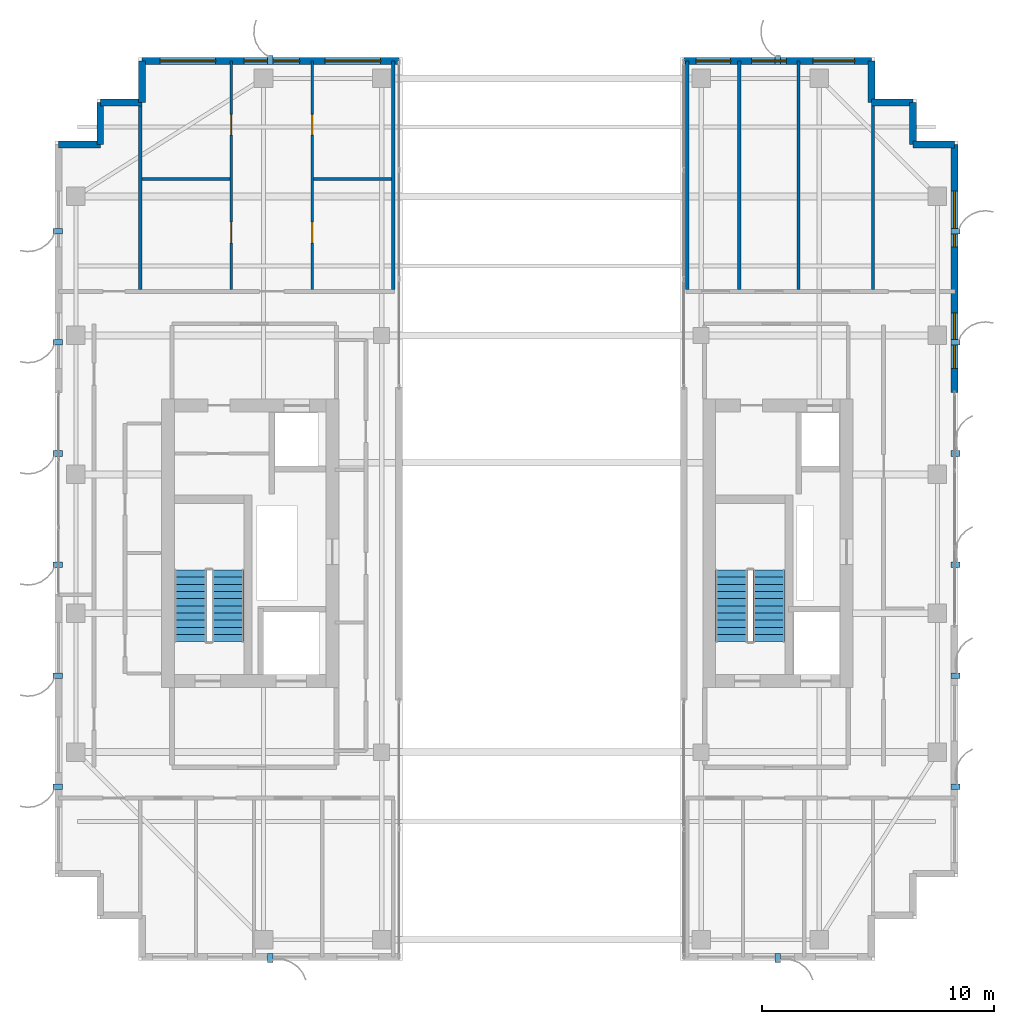
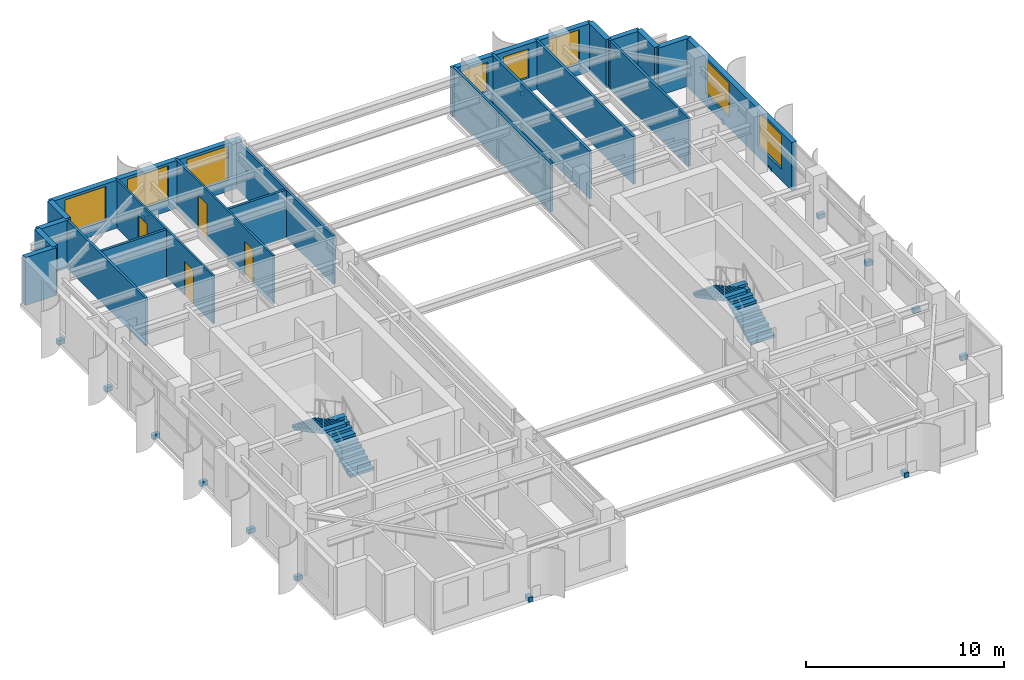
# One storey, part 22 of 25: 21 walls, 16 discrete accessories, 8 windows, 4 doors, 4 stair flights, 12 openings, 2 elements without a shape of their own.
"""IFC4 building model written with IfcOpenShell, lengths in metres."""

from ifc_helpers import new_model, si_unit, direction, frame, frame_2d, origin, origin_2d, place, context, subcontext, project, spatial, polyline, rectangle, outline, extrude, source, transform, mapped, material, layer, layer_set, type_object, element, fill, aggregate, save


model = new_model("IFC4")

# Units and contexts
model_context = context("Model", 3, precision=1e-05, world=origin(), true_north=direction((0.0, 1.0)))
body_context = subcontext(model_context, "Body", "Model", "MODEL_VIEW")
ifc_project = project(units=[si_unit("LENGTHUNIT", "METRE"), si_unit("AREAUNIT", "SQUARE_METRE"), si_unit("VOLUMEUNIT", "CUBIC_METRE"), si_unit("PLANEANGLEUNIT", "RADIAN"), si_unit("MASSUNIT", "GRAM", prefix="KILO")], contexts=[model_context])

# Site, building, storey
site_placement = place(None, origin())
site = spatial("IfcSite", under=ifc_project, at=site_placement, CompositionType="ELEMENT")
building_placement = place(site_placement, origin())
building = spatial("IfcBuilding", under=site, at=building_placement, Name="Khoralis Quay Care Tower", CompositionType="ELEMENT")
storey_placement = place(building_placement, frame((0.0, 0.0, 263.699951171875)))
storey = spatial("IfcBuildingStorey", under=building, at=storey_placement, Name="L69", CompositionType="ELEMENT", Elevation=263.699951171875)

# Wall, openings, windows
ifc_material_1 = material(Name="Precast concrete C45/55", Category="concrete")
ifc_layer_1 = layer(ifc_material_1, 0.300048828125)
ifc_layer_set_1 = layer_set([ifc_layer_1], Name="Precast concrete C45/55")
wall_type_1 = type_object("IfcWallType", Name="WL-EXT-REF-300", PredefinedType="SOLIDWALL", material=ifc_layer_set_1)
wall_1_placement = place(storey_placement, frame((17.85009765625, 41.85009765625, 0.0), z_axis=(0.0, 0.0, 1.0), x_axis=(-1.0, 0.0, 0.0)))
wall_1 = element("IfcWall", 1, at=wall_1_placement, inside=storey, type_object=wall_type_1, Name="L69 External Facade Wall WL-EXT-L69-P1-E2", PredefinedType="SOLIDWALL", context=body_context, shape_type="SweptSolid", body=[
    extrude(rectangle(XDim=11.10009765625, YDim=0.300048828125, at=frame_2d((5.550048828125, 0.0))), origin(), (0.0, 0.0, 1.0), 2.949951171875),
])
opening_1_placement = place(wall_1_placement, frame((0.797119140625, 0.0, 0.68994140625)))
opening_1 = element("IfcOpeningElement", 2, at=opening_1_placement, cuts=wall_1, Name="Opening W1", PredefinedType="OPENING", context=body_context, shape_type="SweptSolid", body=[
    extrude(rectangle(XDim=2.39990234375, YDim=2.10009765625, at=frame_2d((1.199951171875, 1.050048828125))), frame((0.0, 0.16015625, 0.0), z_axis=(0.0, -1.0, 0.0), x_axis=(1.0, 0.0, 0.0)), (0.0, 0.0, 1.0), 0.320068359375),
])
opening_2_placement = place(wall_1_placement, frame((4.29150390625, 0.0, 0.68994140625)))
opening_2 = element("IfcOpeningElement", 3, at=opening_2_placement, cuts=wall_1, Name="Opening W1", PredefinedType="OPENING", context=body_context, shape_type="SweptSolid", body=[
    extrude(rectangle(XDim=2.39990234375, YDim=2.10009765625, at=frame_2d((1.199951171875, 1.050048828125))), frame((0.0, 0.16015625, 0.0), z_axis=(0.0, -1.0, 0.0), x_axis=(1.0, 0.0, 0.0)), (0.0, 0.0, 1.0), 0.320068359375),
])
opening_3_placement = place(wall_1_placement, frame((7.91943359375, 0.0, 0.68994140625)))
opening_3 = element("IfcOpeningElement", 4, at=opening_3_placement, cuts=wall_1, Name="Opening W1", PredefinedType="OPENING", context=body_context, shape_type="SweptSolid", body=[
    extrude(rectangle(XDim=2.39990234375, YDim=2.10009765625, at=frame_2d((1.199951171875, 1.050048828125))), frame((0.0, 0.16015625, 0.0), z_axis=(0.0, -1.0, 0.0), x_axis=(1.0, 0.0, 0.0)), (0.0, 0.0, 1.0), 0.320068359375),
])
ifc_material_2 = material(Name="Low-E solar-control double glazing", Category="glass")
window_type_1 = type_object("IfcWindowType", Name="WN-POD-2400X2100", PartitioningType="SINGLE_PANEL", PredefinedType="WINDOW", material=ifc_material_2)
shared_shape_1 = source(origin(), body_context, "Body", "SweptSolid", [
    extrude(rectangle(XDim=2.39990234375, YDim=2.10009765625, at=frame_2d((1.199951171875, 1.050048828125))), frame((0.0, 0.030029296875, 0.0), z_axis=(0.0, -1.0, 0.0), x_axis=(1.0, 0.0, 0.0)), (0.0, 0.0, 1.0), 0.06005859375),
])
window_1_placement = place(opening_1_placement, origin())
window_1 = element("IfcWindow", 5, at=window_1_placement, inside=storey, type_object=window_type_1, Name="WN-L69-P1-E2 Facade Window 01", OverallHeight=2.10009765625, OverallWidth=2.39990234375, PartitioningType="SINGLE_PANEL", PredefinedType="WINDOW", context=body_context, shape_type="MappedRepresentation", body=[
    mapped(shared_shape_1, transform((0.0, 0.0, 0.0), scale=1.0)),
])
fill(opening_1, window_1)
window_2_placement = place(opening_2_placement, origin())
window_2 = element("IfcWindow", 6, at=window_2_placement, inside=storey, type_object=window_type_1, Name="WN-L69-P1-E2 Facade Window 02", OverallHeight=2.10009765625, OverallWidth=2.39990234375, PartitioningType="SINGLE_PANEL", PredefinedType="WINDOW", context=body_context, shape_type="MappedRepresentation", body=[
    mapped(shared_shape_1, transform((0.0, 0.0, 0.0), scale=1.0)),
])
fill(opening_2, window_2)
window_3_placement = place(opening_3_placement, origin())
window_3 = element("IfcWindow", 7, at=window_3_placement, inside=storey, type_object=window_type_1, Name="WN-L69-P1-E2 Facade Window 03", OverallHeight=2.10009765625, OverallWidth=2.39990234375, PartitioningType="SINGLE_PANEL", PredefinedType="WINDOW", context=body_context, shape_type="MappedRepresentation", body=[
    mapped(shared_shape_1, transform((0.0, 0.0, 0.0), scale=1.0)),
])
fill(opening_3, window_3)

# Walls
for number, where, z_axis, x_axis, name in (
    (8, (6.75, 41.85009765625, 0.0), (0.0, 0.0, 1.0), (0.0, -1.0, 0.0), "L69 External Facade Wall WL-EXT-L69-P1-C3"),
    (9, (6.75, 40.050048828125, 0.0), (0.0, 0.0, 1.0), (-1.0, 0.0, 0.0), "L69 External Facade Wall WL-EXT-L69-P1-C4"),
    (10, (4.949951171875, 40.050048828125, 0.0), (0.0, 0.0, 1.0), (0.0, -1.0, 0.0), "L69 External Facade Wall WL-EXT-L69-P1-C5"),
    (11, (4.949951171875, 38.25, 0.0), (0.0, 0.0, 1.0), (-1.0, 0.0, 0.0), "L69 External Facade Wall WL-EXT-L69-P1-C6"),
):
    element("IfcWall", number, at=place(storey_placement, frame(where, z_axis=z_axis, x_axis=x_axis)), inside=storey, type_object=wall_type_1, Name=name, PredefinedType="SOLIDWALL", context=body_context, shape_type="SweptSolid", body=[
        extrude(rectangle(XDim=1.800048828125, YDim=0.300048828125, at=frame_2d((0.89990234375, 0.0))), origin(), (0.0, 0.0, 1.0), 2.949951171875),
    ])

# Wall, openings, windows
wall_2_placement = place(storey_placement, frame((41.85009765625, 27.5400390625, 0.0), z_axis=(0.0, 0.0, 1.0), x_axis=(0.0, 1.0, 0.0)))
wall_2 = element("IfcWall", 12, at=wall_2_placement, inside=storey, type_object=wall_type_1, Name="L69 External Facade Wall WL-EXT-L69-P2-E5B", PredefinedType="SOLIDWALL", context=body_context, shape_type="SweptSolid", body=[
    extrude(rectangle(XDim=10.7099609375, YDim=0.300048828125, at=frame_2d((5.35498046875, 0.0))), origin(), (0.0, 0.0, 1.0), 2.949951171875),
])
opening_4_placement = place(wall_2_placement, frame((1.030029296875, 0.0, 0.68994140625)))
opening_4 = element("IfcOpeningElement", 13, at=opening_4_placement, cuts=wall_2, Name="Opening W1", PredefinedType="OPENING", context=body_context, shape_type="SweptSolid", body=[
    extrude(rectangle(XDim=2.39990234375, YDim=2.10009765625, at=frame_2d((1.199951171875, 1.050048828125))), frame((0.0, 0.16015625, 0.0), z_axis=(0.0, -1.0, 0.0), x_axis=(1.0, 0.0, 0.0)), (0.0, 0.0, 1.0), 0.320068359375),
])
opening_5_placement = place(wall_2_placement, frame((6.284912109375, 0.0, 0.68994140625)))
opening_5 = element("IfcOpeningElement", 14, at=opening_5_placement, cuts=wall_2, Name="Opening W1", PredefinedType="OPENING", context=body_context, shape_type="SweptSolid", body=[
    extrude(rectangle(XDim=2.39990234375, YDim=2.10009765625, at=frame_2d((1.199951171875, 1.050048828125))), frame((0.0, 0.16015625, 0.0), z_axis=(0.0, -1.0, 0.0), x_axis=(1.0, 0.0, 0.0)), (0.0, 0.0, 1.0), 0.320068359375),
])
window_4_placement = place(opening_4_placement, origin())
window_4 = element("IfcWindow", 15, at=window_4_placement, inside=storey, type_object=window_type_1, Name="WN-L69-P2-E5B Facade Window 01", OverallHeight=2.10009765625, OverallWidth=2.39990234375, PartitioningType="SINGLE_PANEL", PredefinedType="WINDOW", context=body_context, shape_type="MappedRepresentation", body=[
    mapped(shared_shape_1, transform((0.0, 0.0, 0.0), scale=1.0)),
])
fill(opening_4, window_4)
window_5_placement = place(opening_5_placement, origin())
window_5 = element("IfcWindow", 16, at=window_5_placement, inside=storey, type_object=window_type_1, Name="WN-L69-P2-E5B Facade Window 02", OverallHeight=2.10009765625, OverallWidth=2.39990234375, PartitioningType="SINGLE_PANEL", PredefinedType="WINDOW", context=body_context, shape_type="MappedRepresentation", body=[
    mapped(shared_shape_1, transform((0.0, 0.0, 0.0), scale=1.0)),
])
fill(opening_5, window_5)

# Walls
for number, where, z_axis, x_axis, name in (
    (17, (41.85009765625, 38.25, 0.0), (0.0, 0.0, 1.0), (-1.0, 0.0, 0.0), "L69 External Facade Wall WL-EXT-L69-P2-C6"),
    (18, (40.050048828125, 38.25, 0.0), (0.0, 0.0, 1.0), (0.0, 1.0, 0.0), "L69 External Facade Wall WL-EXT-L69-P2-C7"),
    (19, (40.050048828125, 40.050048828125, 0.0), (0.0, 0.0, 1.0), (-1.0, 0.0, 0.0), "L69 External Facade Wall WL-EXT-L69-P2-C8"),
    (20, (38.25, 40.050048828125, 0.0), (0.0, 0.0, 1.0), (0.0, 1.0, 0.0), "L69 External Facade Wall WL-EXT-L69-P2-C9"),
):
    element("IfcWall", number, at=place(storey_placement, frame(where, z_axis=z_axis, x_axis=x_axis)), inside=storey, type_object=wall_type_1, Name=name, PredefinedType="SOLIDWALL", context=body_context, shape_type="SweptSolid", body=[
        extrude(rectangle(XDim=1.800048828125, YDim=0.300048828125, at=frame_2d((0.89990234375, 0.0))), origin(), (0.0, 0.0, 1.0), 2.949951171875),
    ])

# Wall, openings, windows
wall_3_placement = place(storey_placement, frame((38.25, 41.85009765625, 0.0), z_axis=(0.0, 0.0, 1.0), x_axis=(-1.0, 0.0, 0.0)))
wall_3 = element("IfcWall", 21, at=wall_3_placement, inside=storey, type_object=wall_type_1, Name="L69 External Facade Wall WL-EXT-L69-P2-E10", PredefinedType="SOLIDWALL", context=body_context, shape_type="SweptSolid", body=[
    extrude(rectangle(XDim=8.10009765625, YDim=0.300048828125, at=frame_2d((4.050048828125, 0.0))), origin(), (0.0, 0.0, 1.0), 2.949951171875),
])
opening_6_placement = place(wall_3_placement, frame((0.719970703125, 0.0, 0.68994140625)))
opening_6 = element("IfcOpeningElement", 22, at=opening_6_placement, cuts=wall_3, Name="Opening W2", PredefinedType="OPENING", context=body_context, shape_type="SweptSolid", body=[
    extrude(rectangle(XDim=1.800048828125, YDim=2.10009765625, at=frame_2d((0.89990234375, 1.050048828125))), frame((0.0, 0.16015625, 0.0), z_axis=(0.0, -1.0, 0.0), x_axis=(1.0, 0.0, 0.0)), (0.0, 0.0, 1.0), 0.320068359375),
])
opening_7_placement = place(wall_3_placement, frame((3.669921875, 0.0, 0.85009765625)))
opening_7 = element("IfcOpeningElement", 23, at=opening_7_placement, cuts=wall_3, Name="Opening W3", PredefinedType="OPENING", context=body_context, shape_type="SweptSolid", body=[
    extrude(rectangle(XDim=1.5, YDim=1.800048828125, at=frame_2d((0.75, 0.89990234375))), frame((0.0, 0.16015625, 0.0), z_axis=(0.0, -1.0, 0.0), x_axis=(1.0, 0.0, 0.0)), (0.0, 0.0, 1.0), 0.320068359375),
])
opening_8_placement = place(wall_3_placement, frame((6.074951171875, 0.0, 0.85009765625)))
opening_8 = element("IfcOpeningElement", 24, at=opening_8_placement, cuts=wall_3, Name="Opening W3", PredefinedType="OPENING", context=body_context, shape_type="SweptSolid", body=[
    extrude(rectangle(XDim=1.5, YDim=1.800048828125, at=frame_2d((0.75, 0.89990234375))), frame((0.0, 0.16015625, 0.0), z_axis=(0.0, -1.0, 0.0), x_axis=(1.0, 0.0, 0.0)), (0.0, 0.0, 1.0), 0.320068359375),
])
window_type_2 = type_object("IfcWindowType", Name="WN-CLIN-1500X1800", PartitioningType="SINGLE_PANEL", PredefinedType="WINDOW", material=ifc_material_2)
shared_shape_2 = source(origin(), body_context, "Body", "SweptSolid", [
    extrude(rectangle(XDim=1.5, YDim=1.800048828125, at=frame_2d((0.75, 0.89990234375))), frame((0.0, 0.030029296875, 0.0), z_axis=(0.0, -1.0, 0.0), x_axis=(1.0, 0.0, 0.0)), (0.0, 0.0, 1.0), 0.06005859375),
])
window_6_placement = place(opening_7_placement, origin())
window_6 = element("IfcWindow", 25, at=window_6_placement, inside=storey, type_object=window_type_2, Name="WN-L69-P2-E10 Facade Window 02", OverallHeight=1.800048828125, OverallWidth=1.5, PartitioningType="SINGLE_PANEL", PredefinedType="WINDOW", context=body_context, shape_type="MappedRepresentation", body=[
    mapped(shared_shape_2, transform((0.0, 0.0, 0.0), scale=1.0)),
])
fill(opening_7, window_6)
window_7_placement = place(opening_8_placement, origin())
window_7 = element("IfcWindow", 26, at=window_7_placement, inside=storey, type_object=window_type_2, Name="WN-L69-P2-E10 Facade Window 03", OverallHeight=1.800048828125, OverallWidth=1.5, PartitioningType="SINGLE_PANEL", PredefinedType="WINDOW", context=body_context, shape_type="MappedRepresentation", body=[
    mapped(shared_shape_2, transform((0.0, 0.0, 0.0), scale=1.0)),
])
fill(opening_8, window_7)
window_type_3 = type_object("IfcWindowType", Name="WN-POD-1800X2100", PartitioningType="SINGLE_PANEL", PredefinedType="WINDOW", material=ifc_material_2)
shared_shape_3 = source(origin(), body_context, "Body", "SweptSolid", [
    extrude(rectangle(XDim=1.800048828125, YDim=2.10009765625, at=frame_2d((0.89990234375, 1.050048828125))), frame((0.0, 0.030029296875, 0.0), z_axis=(0.0, -1.0, 0.0), x_axis=(1.0, 0.0, 0.0)), (0.0, 0.0, 1.0), 0.06005859375),
])
window_8_placement = place(opening_6_placement, origin())
window_8 = element("IfcWindow", 27, at=window_8_placement, inside=storey, type_object=window_type_3, Name="WN-L69-P2-E10 Facade Window 01", OverallHeight=2.10009765625, OverallWidth=1.800048828125, PartitioningType="SINGLE_PANEL", PredefinedType="WINDOW", context=body_context, shape_type="MappedRepresentation", body=[
    mapped(shared_shape_3, transform((0.0, 0.0, 0.0), scale=1.0)),
])
fill(opening_6, window_8)

# Wall, openings, doors
ifc_material_3 = material(Name="Gypsum plasterboard on acoustic metal stud")
ifc_layer_2 = layer(ifc_material_3, 0.114990234375)
ifc_layer_set_2 = layer_set([ifc_layer_2], Name="Gypsum plasterboard on acoustic metal stud")
wall_type_2 = type_object("IfcWallType", Name="WL-PART-115", PredefinedType="PARTITIONING", material=ifc_layer_set_2)
wall_4_placement = place(storey_placement, frame((10.611083984375, 31.9775390625, 0.0), z_axis=(0.0, 0.0, 1.0), x_axis=(0.0, 1.0, 0.0)))
wall_4 = element("IfcWall", 28, at=wall_4_placement, inside=storey, type_object=wall_type_2, Name="L69 2BR 0 Left Wall", PredefinedType="PARTITIONING", context=body_context, shape_type="SweptSolid", body=[
    extrude(rectangle(XDim=9.87744140625, YDim=0.114990234375, at=frame_2d((4.938720703125, 0.0))), origin(), (0.0, 0.0, 1.0), 2.949951171875),
])
opening_9_placement = place(wall_4_placement, frame((6.67138671875, 0.0, 0.0)))
opening_9 = element("IfcOpeningElement", 29, at=opening_9_placement, cuts=wall_4, Name="Opening WD1", PredefinedType="OPENING", context=body_context, shape_type="SweptSolid", body=[
    extrude(rectangle(XDim=0.89990234375, YDim=2.10009765625, at=frame_2d((0.449951171875, 1.050048828125))), frame((0.0, 0.0673828125, 0.0), z_axis=(0.0, -1.0, 0.0), x_axis=(1.0, 0.0, 0.0)), (0.0, 0.0, 1.0), 0.135009765625),
])
opening_10_placement = place(wall_4_placement, frame((2.011474609375, 0.0, 0.0)))
opening_10 = element("IfcOpeningElement", 30, at=opening_10_placement, cuts=wall_4, Name="Opening WD1", PredefinedType="OPENING", context=body_context, shape_type="SweptSolid", body=[
    extrude(rectangle(XDim=0.89990234375, YDim=2.10009765625, at=frame_2d((0.449951171875, 1.050048828125))), frame((0.0, 0.0673828125, 0.0), z_axis=(0.0, -1.0, 0.0), x_axis=(1.0, 0.0, 0.0)), (0.0, 0.0, 1.0), 0.135009765625),
])
ifc_material_4 = material(Name="Acoustic hardwood timber", Category="wood")
door_type = type_object("IfcDoorType", Name="DR-BATH-900X2100", OperationType="NOTDEFINED", PredefinedType="DOOR", material=ifc_material_4)
shared_shape_4 = source(origin(), body_context, "Body", "SweptSolid", [
    extrude(rectangle(XDim=0.89990234375, YDim=2.10009765625, at=frame_2d((0.449951171875, 1.050048828125))), frame((0.0, 0.02490234375, 0.0), z_axis=(0.0, -1.0, 0.0), x_axis=(1.0, 0.0, 0.0)), (0.0, 0.0, 1.0), 0.050048828125),
])
door_1_placement = place(opening_9_placement, origin())
door_1 = element("IfcDoor", 31, at=door_1_placement, inside=storey, type_object=door_type, Name="L69 2BR BD1 Door", OperationType="SINGLE_SWING_LEFT", OverallHeight=2.10009765625, OverallWidth=0.89990234375, PredefinedType="DOOR", context=body_context, shape_type="MappedRepresentation", body=[
    mapped(shared_shape_4, transform((0.0, 0.0, 0.0), scale=1.0)),
])
fill(opening_9, door_1)
door_2_placement = place(opening_10_placement, origin())
door_2 = element("IfcDoor", 32, at=door_2_placement, inside=storey, type_object=door_type, Name="L69 2BR BTH Door", OperationType="SINGLE_SWING_RIGHT", OverallHeight=2.10009765625, OverallWidth=0.89990234375, PredefinedType="DOOR", context=body_context, shape_type="MappedRepresentation", body=[
    mapped(shared_shape_4, transform((0.0, 0.0, 0.0), scale=1.0)),
])
fill(opening_10, door_2)

wall_5_placement = place(storey_placement, frame((14.10595703125, 31.9775390625, 0.0), z_axis=(0.0, 0.0, 1.0), x_axis=(0.0, 1.0, 0.0)))
wall_5 = element("IfcWall", 33, at=wall_5_placement, inside=storey, type_object=wall_type_2, Name="L69 2BR 0 Right Wall", PredefinedType="PARTITIONING", context=body_context, shape_type="SweptSolid", body=[
    extrude(rectangle(XDim=9.87744140625, YDim=0.114990234375, at=frame_2d((4.938720703125, 0.0))), origin(), (0.0, 0.0, 1.0), 2.949951171875),
])
opening_11_placement = place(wall_5_placement, frame((6.67138671875, 0.0, 0.0)))
opening_11 = element("IfcOpeningElement", 34, at=opening_11_placement, cuts=wall_5, Name="Opening WD1", PredefinedType="OPENING", context=body_context, shape_type="SweptSolid", body=[
    extrude(rectangle(XDim=0.89990234375, YDim=2.10009765625, at=frame_2d((0.449951171875, 1.050048828125))), frame((0.0, 0.0673828125, 0.0), z_axis=(0.0, -1.0, 0.0), x_axis=(1.0, 0.0, 0.0)), (0.0, 0.0, 1.0), 0.135009765625),
])
opening_12_placement = place(wall_5_placement, frame((2.011474609375, 0.0, 0.0)))
opening_12 = element("IfcOpeningElement", 35, at=opening_12_placement, cuts=wall_5, Name="Opening WD1", PredefinedType="OPENING", context=body_context, shape_type="SweptSolid", body=[
    extrude(rectangle(XDim=0.89990234375, YDim=2.10009765625, at=frame_2d((0.449951171875, 1.050048828125))), frame((0.0, 0.0673828125, 0.0), z_axis=(0.0, -1.0, 0.0), x_axis=(1.0, 0.0, 0.0)), (0.0, 0.0, 1.0), 0.135009765625),
])
door_3_placement = place(opening_11_placement, frame((0.89990234375, 0.0, 0.0), z_axis=(0.0, 0.0, 1.0), x_axis=(-1.0, 0.0, 0.0)))
door_3 = element("IfcDoor", 36, at=door_3_placement, inside=storey, type_object=door_type, Name="L69 2BR BD2 Door", OperationType="SINGLE_SWING_LEFT", OverallHeight=2.10009765625, OverallWidth=0.89990234375, PredefinedType="DOOR", context=body_context, shape_type="MappedRepresentation", body=[
    mapped(shared_shape_4, transform((0.0, 0.0, 0.0), scale=1.0)),
])
fill(opening_11, door_3)
door_4_placement = place(opening_12_placement, frame((0.89990234375, 0.0, 0.0), z_axis=(0.0, 0.0, 1.0), x_axis=(-1.0, 0.0, 0.0)))
door_4 = element("IfcDoor", 37, at=door_4_placement, inside=storey, type_object=door_type, Name="L69 2BR KIT Door", OperationType="SINGLE_SWING_RIGHT", OverallHeight=2.10009765625, OverallWidth=0.89990234375, PredefinedType="DOOR", context=body_context, shape_type="MappedRepresentation", body=[
    mapped(shared_shape_4, transform((0.0, 0.0, 0.0), scale=1.0)),
])
fill(opening_12, door_4)

# Walls
ifc_material_5 = material(Name="Moisture-resistant gypsum and ceramic tile")
ifc_layer_3 = layer(ifc_material_5, 0.280029296875)
ifc_layer_set_3 = layer_set([ifc_layer_3], Name="Moisture-resistant gypsum and ceramic tile")
wall_type_3 = type_object("IfcWallType", Name="WL-PLUMB-280", PredefinedType="PLUMBINGWALL", material=ifc_layer_set_3)
wall_6_placement = place(storey_placement, frame((6.7451171875, 36.748046875, 0.0), z_axis=(0.0, 0.0, 1.0), x_axis=(1.0, 0.0, 0.0)))
element("IfcWall", 38, at=wall_6_placement, inside=storey, type_object=wall_type_3, Name="L69 2BR 0 Left Split", PredefinedType="PLUMBINGWALL", context=body_context, shape_type="SweptSolid", body=[
    extrude(rectangle(XDim=3.8134765625, YDim=0.139892578125, at=frame_2d((1.90673828125, 0.0))), origin(), (0.0, 0.0, 1.0), 2.949951171875),
])
wall_7_placement = place(storey_placement, frame((14.158447265625, 36.748046875, 0.0), z_axis=(0.0, 0.0, 1.0), x_axis=(1.0, 0.0, 0.0)))
element("IfcWall", 39, at=wall_7_placement, inside=storey, type_object=wall_type_3, Name="L69 2BR 0 Right Split", PredefinedType="PLUMBINGWALL", context=body_context, shape_type="SweptSolid", body=[
    extrude(rectangle(XDim=3.37646484375, YDim=0.139892578125, at=frame_2d((1.688232421875, 0.0))), origin(), (0.0, 0.0, 1.0), 2.949951171875),
])
ifc_layer_4 = layer(ifc_material_3, 0.139892578125)
ifc_layer_set_4 = layer_set([ifc_layer_4], Name="Gypsum plasterboard on acoustic metal stud")
wall_type_4 = type_object("IfcWallType", Name="WL-UNIT-140", PredefinedType="PARTITIONING", material=ifc_layer_set_4)
wall_8_placement = place(storey_placement, frame((6.679931640625, 31.9775390625, 0.0), z_axis=(0.0, 0.0, 1.0), x_axis=(0.0, 1.0, 0.0)))
element("IfcWall", 40, at=wall_8_placement, inside=storey, type_object=wall_type_4, Name="L69 WN Demising Wall 0", PredefinedType="PARTITIONING", context=body_context, shape_type="SweptSolid", body=[
    extrude(rectangle(XDim=8.077392578125, YDim=0.139892578125, at=frame_2d((4.03857421875, 0.0))), origin(), (0.0, 0.0, 1.0), 2.949951171875),
])
for number, where, z_axis, x_axis, name in (
    (41, (17.60009765625, 31.9775390625, 0.0), (0.0, 0.0, 1.0), (0.0, 1.0, 0.0), "L69 WN Demising Wall 1"),
    (42, (30.300048828125, 31.9775390625, 0.0), (0.0, 0.0, 1.0), (0.0, 1.0, 0.0), "L69 EN Demising Wall 0"),
    (43, (32.550048828125, 31.9775390625, 0.0), (0.0, 0.0, 1.0), (0.0, 1.0, 0.0), "L69 EN Demising Wall 1"),
    (44, (35.110107421875, 31.9775390625, 0.0), (0.0, 0.0, 1.0), (0.0, 1.0, 0.0), "L69 EN Demising Wall 2"),
):
    element("IfcWall", number, at=place(storey_placement, frame(where, z_axis=z_axis, x_axis=x_axis)), inside=storey, type_object=wall_type_4, Name=name, PredefinedType="PARTITIONING", context=body_context, shape_type="SweptSolid", body=[
        extrude(rectangle(XDim=9.87744140625, YDim=0.139892578125, at=frame_2d((4.938720703125, 0.0))), origin(), (0.0, 0.0, 1.0), 2.949951171875),
    ])
wall_9_placement = place(storey_placement, frame((38.320068359375, 31.9775390625, 0.0), z_axis=(0.0, 0.0, 1.0), x_axis=(0.0, 1.0, 0.0)))
element("IfcWall", 45, at=wall_9_placement, inside=storey, type_object=wall_type_4, Name="L69 EN Demising Wall 3", PredefinedType="PARTITIONING", context=body_context, shape_type="SweptSolid", body=[
    extrude(rectangle(XDim=8.077392578125, YDim=0.139892578125, at=frame_2d((4.03857421875, 0.0))), origin(), (0.0, 0.0, 1.0), 2.949951171875),
])

# Stair, stair flights
stair_type = type_object("IfcStairType", Name="ST-TWR-DOGLEG-1400", PredefinedType="HALF_TURN_STAIR", material=ifc_material_1)
stair_1_placement = place(storey_placement, origin())
stair_1 = element("IfcStair", 46, at=stair_1_placement, inside=storey, type_object=stair_type, Name="L69 West Core Exit Stair ST-T1", PredefinedType="HALF_TURN_STAIR")
stair_flight_type = type_object("IfcStairFlightType", Name="SF-TWR-1400", PredefinedType="STRAIGHT", material=ifc_material_1)
shared_shape_5 = source(origin(), body_context, "Body", "SweptSolid", [
    extrude(outline(polyline([(0.0, 0.0), (0.0, 0.16357421875), (0.31005859375, 0.16357421875), (0.31005859375, 0.327392578125), (0.6201171875, 0.327392578125), (0.6201171875, 0.490966796875), (0.929931640625, 0.490966796875), (0.929931640625, 0.654541015625), (1.239990234375, 0.654541015625), (1.239990234375, 0.818115234375), (1.550048828125, 0.818115234375), (1.550048828125, 0.98193359375), (1.860107421875, 0.98193359375), (1.860107421875, 1.1455078125), (2.169921875, 1.1455078125), (2.169921875, 1.30908203125), (2.47998046875, 1.30908203125), (2.47998046875, 1.47265625), (2.7900390625, 1.47265625), (2.7900390625, 1.636474609375), (3.10009765625, 1.636474609375), (3.10009765625, 1.800048828125), (3.10009765625, 1.466796875), (0.321044921875, 0.0), (0.0, 0.0)])), frame((0.0, 0.68994140625, 0.0), z_axis=(0.0, -1.0, 0.0), x_axis=(1.0, 0.0, 0.0)), (0.0, 0.0, 1.0), 1.3798828125),
])
stair_flight_1_placement = place(storey_placement, frame((10.4599609375, 16.77001953125, 0.0), z_axis=(0.0, 0.0, 1.0), x_axis=(0.0, 1.0, 0.0)))
stair_flight_1 = element("IfcStairFlight", 47, at=stair_flight_1_placement, type_object=stair_flight_type, Name="ST-T1 flight 1", NumberOfRisers=11, NumberOfTreads=10, PredefinedType="STRAIGHT", RiserHeight=0.163636364, TreadLength=0.31, context=body_context, shape_type="MappedRepresentation", body=[
    mapped(shared_shape_5, transform((0.0, 0.0, 0.0), scale=1.0)),
])
stair_flight_2_placement = place(storey_placement, frame((8.840087890625, 19.8701171875, 1.800048828125), z_axis=(0.0, 0.0, 1.0), x_axis=(0.0, -1.0, 0.0)))
stair_flight_2 = element("IfcStairFlight", 48, at=stair_flight_2_placement, type_object=stair_flight_type, Name="ST-T1 flight 2", NumberOfRisers=11, NumberOfTreads=10, PredefinedType="STRAIGHT", RiserHeight=0.163636364, TreadLength=0.31, context=body_context, shape_type="MappedRepresentation", body=[
    mapped(shared_shape_5, transform((0.0, 0.0, 0.0), scale=1.0)),
])
aggregate(stair_1, [stair_flight_1, stair_flight_2])

stair_2_placement = place(storey_placement, origin())
stair_2 = element("IfcStair", 49, at=stair_2_placement, inside=storey, type_object=stair_type, Name="L69 East Core Exit Stair ST-T2", PredefinedType="HALF_TURN_STAIR")
stair_flight_3_placement = place(storey_placement, frame((33.830078125, 16.77001953125, 0.0), z_axis=(0.0, 0.0, 1.0), x_axis=(0.0, 1.0, 0.0)))
stair_flight_3 = element("IfcStairFlight", 50, at=stair_flight_3_placement, type_object=stair_flight_type, Name="ST-T2 flight 1", NumberOfRisers=11, NumberOfTreads=10, PredefinedType="STRAIGHT", RiserHeight=0.163636364, TreadLength=0.31, context=body_context, shape_type="MappedRepresentation", body=[
    mapped(shared_shape_5, transform((0.0, 0.0, 0.0), scale=1.0)),
])
stair_flight_4_placement = place(storey_placement, frame((32.2099609375, 19.8701171875, 1.800048828125), z_axis=(0.0, 0.0, 1.0), x_axis=(0.0, -1.0, 0.0)))
stair_flight_4 = element("IfcStairFlight", 51, at=stair_flight_4_placement, type_object=stair_flight_type, Name="ST-T2 flight 2", NumberOfRisers=11, NumberOfTreads=10, PredefinedType="STRAIGHT", RiserHeight=0.163636364, TreadLength=0.31, context=body_context, shape_type="MappedRepresentation", body=[
    mapped(shared_shape_5, transform((0.0, 0.0, 0.0), scale=1.0)),
])
aggregate(stair_2, [stair_flight_3, stair_flight_4])

# Discrete accessories
ifc_material_6 = material(Name="Brushed stainless steel", Category="steel")
discrete_accessory_type = type_object("IfcDiscreteAccessoryType", Name="ACC-FIN-BRACKET", PredefinedType="BRACKET", material=ifc_material_6)
shared_shape_6 = source(origin(), body_context, "Body", "SweptSolid", [
    extrude(rectangle(XDim=0.39990234375, YDim=0.239990234375, at=origin_2d()), origin(), (0.0, 0.0, 1.0), 0.280029296875),
])
for number, where, z_axis, x_axis, name in (
    (52, (12.300048828125, 3.110107421875, -0.1201171875), (0.0, 0.0, 1.0), (0.0, -1.0, 0.0), "L69 Solar Fin Bracket P1E0-01"),
    (53, (12.300048828125, 41.889892578125, -0.1201171875), (0.0, 0.0, 1.0), (0.0, 1.0, 0.0), "L69 Solar Fin Bracket P1E2-01"),
    (54, (3.110107421875, 34.5, -0.1201171875), (0.0, 0.0, 1.0), (-1.0, 0.0, 0.0), "L69 Solar Fin Bracket P1E7-01"),
    (55, (3.110107421875, 29.699951171875, -0.1201171875), (0.0, 0.0, 1.0), (-1.0, 0.0, 0.0), "L69 Solar Fin Bracket P1E7-02"),
    (56, (3.110107421875, 24.89990234375, -0.1201171875), (0.0, 0.0, 1.0), (-1.0, 0.0, 0.0), "L69 Solar Fin Bracket P1E7-03"),
    (57, (3.110107421875, 20.10009765625, -0.1201171875), (0.0, 0.0, 1.0), (-1.0, 0.0, 0.0), "L69 Solar Fin Bracket P1E7-04"),
    (58, (3.110107421875, 15.300048828125, -0.1201171875), (0.0, 0.0, 1.0), (-1.0, 0.0, 0.0), "L69 Solar Fin Bracket P1E7-05"),
    (59, (3.110107421875, 10.5, -0.1201171875), (0.0, 0.0, 1.0), (-1.0, 0.0, 0.0), "L69 Solar Fin Bracket P1E7-06"),
    (60, (34.199951171875, 3.110107421875, -0.1201171875), (0.0, 0.0, 1.0), (0.0, -1.0, 0.0), "L69 Solar Fin Bracket P2E0-01"),
    (61, (41.889892578125, 10.5, -0.1201171875), (0.0, 0.0, 1.0), (1.0, 0.0, 0.0), "L69 Solar Fin Bracket P2E5-01"),
    (62, (41.889892578125, 15.300048828125, -0.1201171875), (0.0, 0.0, 1.0), (1.0, 0.0, 0.0), "L69 Solar Fin Bracket P2E5-02"),
    (63, (41.889892578125, 20.10009765625, -0.1201171875), (0.0, 0.0, 1.0), (1.0, 0.0, 0.0), "L69 Solar Fin Bracket P2E5-03"),
    (64, (41.889892578125, 24.89990234375, -0.1201171875), (0.0, 0.0, 1.0), (1.0, 0.0, 0.0), "L69 Solar Fin Bracket P2E5-04"),
    (65, (41.889892578125, 29.699951171875, -0.1201171875), (0.0, 0.0, 1.0), (1.0, 0.0, 0.0), "L69 Solar Fin Bracket P2E5-05"),
    (66, (41.889892578125, 34.5, -0.1201171875), (0.0, 0.0, 1.0), (1.0, 0.0, 0.0), "L69 Solar Fin Bracket P2E5-06"),
    (67, (34.199951171875, 41.889892578125, -0.1201171875), (0.0, 0.0, 1.0), (0.0, 1.0, 0.0), "L69 Solar Fin Bracket P2E10-01"),
):
    element("IfcDiscreteAccessory", number, at=place(storey_placement, frame(where, z_axis=z_axis, x_axis=x_axis)), inside=storey, type_object=discrete_accessory_type, Name=name, PredefinedType="BRACKET", context=body_context, shape_type="MappedRepresentation", body=[
        mapped(shared_shape_6, transform((0.0, 0.0, 0.0), scale=1.0)),
    ])

save(model, "model.ifc")
